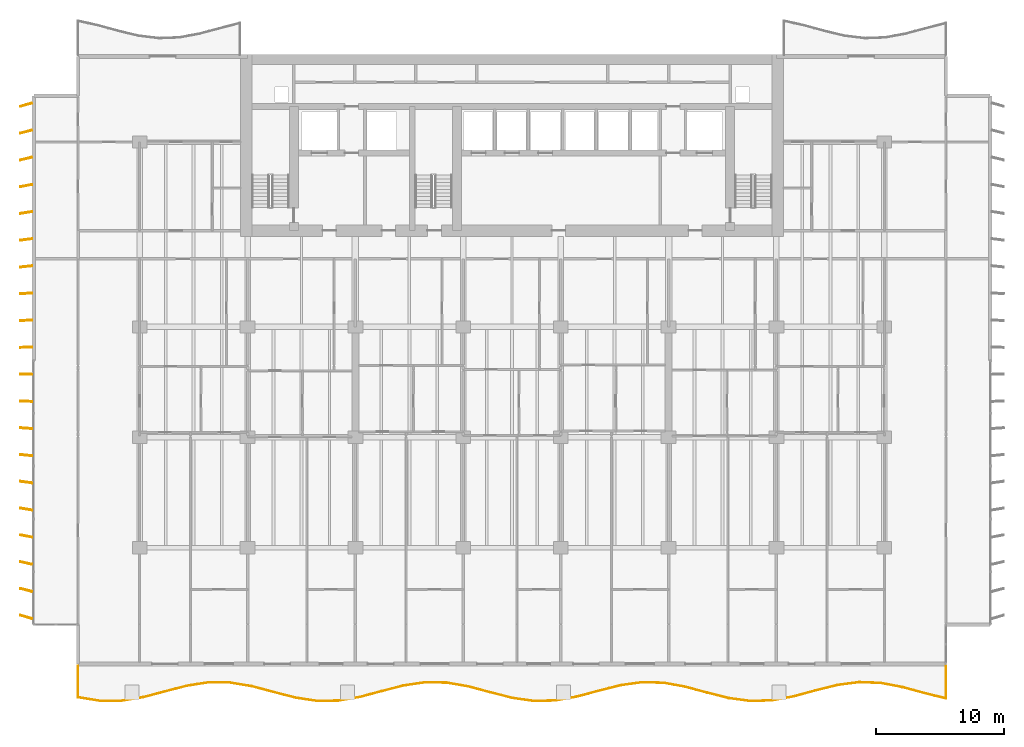
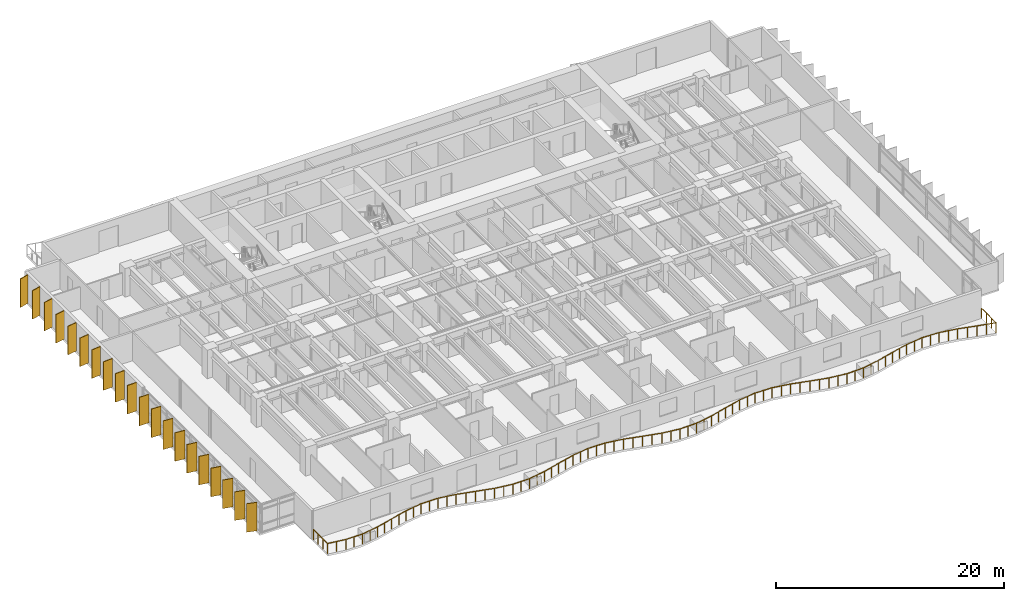
# One storey, part 16 of 19: 20 shading devices, 1 railing.
"""IFC4 building model written with IfcOpenShell, lengths in metres."""

from ifc_helpers import new_model, si_unit, direction, frame, origin, origin_2d, place, context, subcontext, project, spatial, rectangle, circle, extrude, material, material_profile, profile_set, type_object, element, save


model = new_model("IFC4")

# Units and contexts
model_context = context("Model", 3, precision=1e-05, world=origin(), true_north=direction((0.0, 1.0)))
body_context = subcontext(model_context, "Body", "Model", "MODEL_VIEW")
ifc_project = project(units=[si_unit("LENGTHUNIT", "METRE"), si_unit("AREAUNIT", "SQUARE_METRE"), si_unit("VOLUMEUNIT", "CUBIC_METRE"), si_unit("PLANEANGLEUNIT", "RADIAN"), si_unit("MASSUNIT", "GRAM", prefix="KILO")], contexts=[model_context])

# Site, building, storey
site_placement = place(None, origin())
site = spatial("IfcSite", under=ifc_project, at=site_placement, CompositionType="ELEMENT")
building_placement = place(site_placement, origin())
building = spatial("IfcBuilding", under=site, at=building_placement, Name="Caelmar Bay Residences", CompositionType="ELEMENT")
storey_placement = place(building_placement, frame((0.0, 0.0, 66.300048828125)))
storey = spatial("IfcBuildingStorey", under=building, at=storey_placement, Name="L17", CompositionType="ELEMENT", Elevation=66.300048828125)

# Railing
ifc_material_1 = material(Name="Anodised bronze handrail with laminated hurricane glass infill", Category="glass")
railing_type = type_object("IfcRailingType", Name="RL-BAL-1100", PredefinedType="BALUSTRADE", material=ifc_material_1)
railing_placement = place(storey_placement, frame((5.10009765625, 3.0, 0.0)))
element("IfcRailing", 1, at=railing_placement, inside=storey, type_object=railing_type, Name="L17 south Balcony Balustrade", PredefinedType="BALUSTRADE", context=body_context, shape_type="SweptSolid", body=[
    extrude(circle(Radius=0.02392578125, at=origin_2d()), frame((0.0, 0.0, 1.076171875), z_axis=(0.0, -1.0, 0.0), x_axis=(1.0, 0.0, 0.0)), (0.0, 0.0, 1.0), 2.460693359375),
    extrude(circle(Radius=0.02392578125, at=origin_2d()), frame((0.0, -2.460693359375, 1.076171875), z_axis=(0.987161447112, -0.159725631431, 0.0), x_axis=(0.159725631431, 0.987161447112, 0.0)), (0.0, 0.0, 1.0), 1.7119140625),
    extrude(circle(Radius=0.02392578125, at=origin_2d()), frame((1.68994140625, -2.734130859375, 1.076171875), z_axis=(0.999998737326, 0.001589134081, 0.0), x_axis=(-0.001589134081, 0.999998737326, 0.0)), (0.0, 0.0, 1.0), 1.68994140625),
    extrude(circle(Radius=0.02392578125, at=origin_2d()), frame((3.3798828125, -2.7314453125, 1.076171875), z_axis=(0.986799294677, 0.16194799173, 0.0), x_axis=(-0.16194799173, 0.986799294677, 0.0)), (0.0, 0.0, 1.0), 1.712646484375),
    extrude(circle(Radius=0.02392578125, at=origin_2d()), frame((5.06982421875, -2.4541015625, 1.076171875), z_axis=(0.967000314127, 0.254775180264, 0.0), x_axis=(-0.254775180264, 0.967000314127, 0.0)), (0.0, 0.0, 1.0), 1.747802734375),
    extrude(circle(Radius=0.02392578125, at=origin_2d()), frame((6.760009765625, -2.0087890625, 1.076171875), z_axis=(0.967608364987, 0.252456039752, 0.0), x_axis=(-0.252456039752, 0.967608364987, 0.0)), (0.0, 0.0, 1.0), 1.74658203125),
    extrude(circle(Radius=0.02392578125, at=origin_2d()), frame((8.449951171875, -1.56787109375, 1.076171875), z_axis=(0.987827677415, 0.155552176883, 0.0), x_axis=(-0.155552176883, 0.987827677415, 0.0)), (0.0, 0.0, 1.0), 1.710693359375),
    extrude(circle(Radius=0.02392578125, at=origin_2d()), frame((10.139892578125, -1.3017578125, 1.076171875), z_axis=(0.999977919541, -0.00664533145, 0.0), x_axis=(0.00664533145, 0.999977919541, 0.0)), (0.0, 0.0, 1.0), 1.68994140625),
    extrude(circle(Radius=0.02392578125, at=origin_2d()), frame((11.829833984375, -1.31298828125, 1.076171875), z_axis=(0.986134771921, -0.165946411857, 0.0), x_axis=(0.165946411857, 0.986134771921, 0.0)), (0.0, 0.0, 1.0), 1.7138671875),
    extrude(circle(Radius=0.02392578125, at=origin_2d()), frame((13.52001953125, -1.597412109375, 1.076171875), z_axis=(0.96664627218, -0.256115178153, 0.0), x_axis=(0.256115178153, 0.96664627218, 0.0)), (0.0, 0.0, 1.0), 1.748291015625),
    extrude(circle(Radius=0.02392578125, at=origin_2d()), frame((15.2099609375, -2.045166015625, 1.076171875), z_axis=(0.968017027186, -0.250884505457, 0.0), x_axis=(0.250884505457, 0.968017027186, 0.0)), (0.0, 0.0, 1.0), 1.745849609375),
    extrude(circle(Radius=0.02392578125, at=origin_2d()), frame((16.89990234375, -2.483154296875, 1.076171875), z_axis=(0.988455739863, -0.151509901762, 0.0), x_axis=(0.151509901762, 0.988455739863, 0.0)), (0.0, 0.0, 1.0), 1.709716796875),
    extrude(circle(Radius=0.02392578125, at=origin_2d()), frame((18.58984375, -2.7421875, 1.076171875), z_axis=(0.999929840124, 0.011845456066, 0.0), x_axis=(-0.011845456066, 0.999929840124, 0.0)), (0.0, 0.0, 1.0), 1.68994140625),
    extrude(circle(Radius=0.02392578125, at=origin_2d()), frame((20.27978515625, -2.72216796875, 1.076171875), z_axis=(0.985474905677, 0.169821112592, 0.0), x_axis=(-0.169821112592, 0.985474905677, 0.0)), (0.0, 0.0, 1.0), 1.715087890625),
    extrude(circle(Radius=0.02392578125, at=origin_2d()), frame((21.969970703125, -2.430908203125, 1.076171875), z_axis=(0.966299784556, 0.25741935896, 0.0), x_axis=(-0.25741935896, 0.966299784556, 0.0)), (0.0, 0.0, 1.0), 1.748779296875),
    extrude(circle(Radius=0.02392578125, at=origin_2d()), frame((23.659912109375, -1.980712890625, 1.076171875), z_axis=(0.968457248816, 0.249179768873, 0.0), x_axis=(-0.249179768873, 0.968457248816, 0.0)), (0.0, 0.0, 1.0), 1.744873046875),
    extrude(circle(Radius=0.02392578125, at=origin_2d()), frame((25.349853515625, -1.5458984375, 1.076171875), z_axis=(0.989088848921, 0.147320225836, 0.0), x_axis=(-0.147320225836, 0.989088848921, 0.0)), (0.0, 0.0, 1.0), 1.70849609375),
    extrude(circle(Radius=0.02392578125, at=origin_2d()), frame((27.039794921875, -1.294189453125, 1.076171875), z_axis=(0.999854771872, -0.017042158469, 0.0), x_axis=(0.017042158469, 0.999854771872, 0.0)), (0.0, 0.0, 1.0), 1.6904296875),
    extrude(circle(Radius=0.02392578125, at=origin_2d()), frame((28.72998046875, -1.322998046875, 1.076171875), z_axis=(0.98479644639, -0.173712288506, 0.0), x_axis=(0.173712288506, 0.98479644639, 0.0)), (0.0, 0.0, 1.0), 1.716064453125),
    extrude(circle(Radius=0.02392578125, at=origin_2d()), frame((30.419921875, -1.62109375, 1.076171875), z_axis=(0.966021507899, -0.258461692087, 0.0), x_axis=(0.258461692087, 0.966021507899, 0.0)), (0.0, 0.0, 1.0), 1.749267578125),
    extrude(circle(Radius=0.02392578125, at=origin_2d()), frame((32.10986328125, -2.0732421875, 1.076171875), z_axis=(0.96889486343, -0.247472712878, 0.0), x_axis=(0.247472712878, 0.96889486343, 0.0)), (0.0, 0.0, 1.0), 1.744140625),
    extrude(circle(Radius=0.02392578125, at=origin_2d()), frame((33.7998046875, -2.5048828125, 1.076171875), z_axis=(0.989707894307, -0.143102354789, 0.0), x_axis=(0.143102354789, 0.989707894307, 0.0)), (0.0, 0.0, 1.0), 1.707763671875),
    extrude(circle(Radius=0.02392578125, at=origin_2d()), frame((35.489990234375, -2.749267578125, 1.076171875), z_axis=(0.999755808481, 0.02209804084, 0.0), x_axis=(-0.02209804084, 0.999755808481, 0.0)), (0.0, 0.0, 1.0), 1.6904296875),
    extrude(circle(Radius=0.02392578125, at=origin_2d()), frame((37.179931640625, -2.7119140625, 1.076171875), z_axis=(0.984107880435, 0.177571618414, 0.0), x_axis=(-0.177571618414, 0.984107880435, 0.0)), (0.0, 0.0, 1.0), 1.71728515625),
    extrude(circle(Radius=0.02392578125, at=origin_2d()), frame((38.869873046875, -2.406982421875, 1.076171875), z_axis=(0.965742268421, 0.259503123268, 0.0), x_axis=(-0.259503123268, 0.965742268421, 0.0)), (0.0, 0.0, 1.0), 1.75),
    extrude(circle(Radius=0.02392578125, at=origin_2d()), frame((40.559814453125, -1.952880859375, 1.076171875), z_axis=(0.969338315738, 0.245729993373, 0.0), x_axis=(-0.245729993373, 0.969338315738, 0.0)), (0.0, 0.0, 1.0), 1.74365234375),
    extrude(circle(Radius=0.02392578125, at=origin_2d()), frame((42.25, -1.5244140625, 1.076171875), z_axis=(0.990323665204, 0.138776936615, 0.0), x_axis=(-0.138776936615, 0.990323665204, 0.0)), (0.0, 0.0, 1.0), 1.70654296875),
    extrude(circle(Radius=0.02392578125, at=origin_2d()), frame((43.93994140625, -1.28759765625, 1.076171875), z_axis=(0.999627447336, -0.027294075057, 0.0), x_axis=(0.027294075057, 0.999627447336, 0.0)), (0.0, 0.0, 1.0), 1.690673828125),
    extrude(circle(Radius=0.02392578125, at=origin_2d()), frame((45.6298828125, -1.333740234375, 1.076171875), z_axis=(0.983455853018, -0.181147964836, 0.0), x_axis=(0.181147964836, 0.983455853018, 0.0)), (0.0, 0.0, 1.0), 1.71826171875),
    extrude(circle(Radius=0.02392578125, at=origin_2d()), frame((47.31982421875, -1.64501953125, 1.076171875), z_axis=(0.96543645193, -0.26063855679, 0.0), x_axis=(0.26063855679, 0.96543645193, 0.0)), (0.0, 0.0, 1.0), 1.750732421875),
    extrude(circle(Radius=0.02392578125, at=origin_2d()), frame((49.010009765625, -2.101318359375, 1.076171875), z_axis=(0.96986162676, -0.243656366503, 0.0), x_axis=(0.243656366503, 0.96986162676, 0.0)), (0.0, 0.0, 1.0), 1.742431640625),
    extrude(circle(Radius=0.02392578125, at=origin_2d()), frame((50.699951171875, -2.52587890625, 1.076171875), z_axis=(0.990904931496, -0.134563801734, 0.0), x_axis=(0.134563801734, 0.990904931496, 0.0)), (0.0, 0.0, 1.0), 1.70556640625),
    extrude(circle(Radius=0.02392578125, at=origin_2d()), frame((52.389892578125, -2.75537109375, 1.076171875), z_axis=(0.999472128922, 0.032487897863, 0.0), x_axis=(-0.032487897863, 0.999472128922, 0.0)), (0.0, 0.0, 1.0), 1.69091796875),
    extrude(circle(Radius=0.02392578125, at=origin_2d()), frame((54.079833984375, -2.700439453125, 1.076171875), z_axis=(0.982796570367, 0.184691367622, 0.0), x_axis=(-0.184691367622, 0.982796570367, 0.0)), (0.0, 0.0, 1.0), 1.7197265625),
    extrude(circle(Radius=0.02392578125, at=origin_2d()), frame((55.77001953125, -2.3828125, 1.076171875), z_axis=(0.965180912131, 0.261583269454, 0.0), x_axis=(-0.261583269454, 0.965180912131, 0.0)), (0.0, 0.0, 1.0), 1.7509765625),
    extrude(circle(Radius=0.02392578125, at=origin_2d()), frame((57.4599609375, -1.9248046875, 1.076171875), z_axis=(0.970323637747, 0.241809921282, 0.0), x_axis=(-0.241809921282, 0.970323637747, 0.0)), (0.0, 0.0, 1.0), 1.74169921875),
    extrude(circle(Radius=0.02392578125, at=origin_2d()), frame((59.14990234375, -1.503662109375, 1.076171875), z_axis=(0.991505897184, 0.130061738608, 0.0), x_axis=(-0.130061738608, 0.991505897184, 0.0)), (0.0, 0.0, 1.0), 1.704345703125),
    extrude(circle(Radius=0.02392578125, at=origin_2d()), frame((60.83984375, -1.281982421875, 1.076171875), z_axis=(0.999295316243, -0.037534929532, 0.0), x_axis=(0.037534929532, 0.999295316243, 0.0)), (0.0, 0.0, 1.0), 1.691162109375),
    extrude(circle(Radius=0.02392578125, at=origin_2d()), frame((62.52978515625, -1.345458984375, 1.076171875), z_axis=(0.982120607704, -0.188252787292, 0.0), x_axis=(0.188252787292, 0.982120607704, 0.0)), (0.0, 0.0, 1.0), 1.720947265625),
    extrude(circle(Radius=0.02392578125, at=origin_2d()), frame((64.219970703125, -1.66943359375, 1.076171875), z_axis=(0.964969418034, -0.262362387278, 0.0), x_axis=(0.262362387278, 0.964969418034, 0.0)), (0.0, 0.0, 1.0), 1.751220703125),
    extrude(circle(Radius=0.02392578125, at=origin_2d()), frame((65.909912109375, -2.12890625, 1.076171875), z_axis=(0.9708152295, -0.239828668368, 0.0), x_axis=(0.239828668368, 0.9708152295, 0.0)), (0.0, 0.0, 1.0), 1.74072265625),
    extrude(circle(Radius=0.02392578125, at=origin_2d()), frame((67.599853515625, -2.54638671875, 1.076171875), z_axis=(0.0, 1.0, 0.0), x_axis=(-1.0, 0.0, 0.0)), (0.0, 0.0, 1.0), 2.54638671875),
    extrude(circle(Radius=0.02099609375, at=origin_2d()), origin(), (0.0, 0.0, 1.0), 1.052001953125),
    extrude(circle(Radius=0.02099609375, at=origin_2d()), frame((0.0, -0.8203125, 0.0)), (0.0, 0.0, 1.0), 1.052001953125),
    extrude(circle(Radius=0.02099609375, at=origin_2d()), frame((0.0, -1.640380859375, 0.0)), (0.0, 0.0, 1.0), 1.052001953125),
    extrude(circle(Radius=0.02099609375, at=origin_2d()), frame((0.0, -2.460693359375, 0.0)), (0.0, 0.0, 1.0), 1.052001953125),
    extrude(circle(Radius=0.02099609375, at=origin_2d()), frame((0.844970703125, -2.597412109375, 0.0)), (0.0, 0.0, 1.0), 1.052001953125),
    extrude(circle(Radius=0.02099609375, at=origin_2d()), frame((1.68994140625, -2.734130859375, 0.0)), (0.0, 0.0, 1.0), 1.052001953125),
    extrude(circle(Radius=0.02099609375, at=origin_2d()), frame((2.534912109375, -2.73291015625, 0.0)), (0.0, 0.0, 1.0), 1.052001953125),
    extrude(circle(Radius=0.02099609375, at=origin_2d()), frame((3.3798828125, -2.7314453125, 0.0)), (0.0, 0.0, 1.0), 1.052001953125),
    extrude(circle(Radius=0.02099609375, at=origin_2d()), frame((4.224853515625, -2.5927734375, 0.0)), (0.0, 0.0, 1.0), 1.052001953125),
    extrude(circle(Radius=0.02099609375, at=origin_2d()), frame((5.06982421875, -2.4541015625, 0.0)), (0.0, 0.0, 1.0), 1.052001953125),
    extrude(circle(Radius=0.02099609375, at=origin_2d()), frame((5.9150390625, -2.2314453125, 0.0)), (0.0, 0.0, 1.0), 1.052001953125),
    extrude(circle(Radius=0.02099609375, at=origin_2d()), frame((6.760009765625, -2.0087890625, 0.0)), (0.0, 0.0, 1.0), 1.052001953125),
    extrude(circle(Radius=0.02099609375, at=origin_2d()), frame((7.60498046875, -1.788330078125, 0.0)), (0.0, 0.0, 1.0), 1.052001953125),
    extrude(circle(Radius=0.02099609375, at=origin_2d()), frame((8.449951171875, -1.56787109375, 0.0)), (0.0, 0.0, 1.0), 1.052001953125),
    extrude(circle(Radius=0.02099609375, at=origin_2d()), frame((9.294921875, -1.434814453125, 0.0)), (0.0, 0.0, 1.0), 1.052001953125),
    extrude(circle(Radius=0.02099609375, at=origin_2d()), frame((10.139892578125, -1.3017578125, 0.0)), (0.0, 0.0, 1.0), 1.052001953125),
    extrude(circle(Radius=0.02099609375, at=origin_2d()), frame((10.98486328125, -1.307373046875, 0.0)), (0.0, 0.0, 1.0), 1.052001953125),
    extrude(circle(Radius=0.02099609375, at=origin_2d()), frame((11.829833984375, -1.31298828125, 0.0)), (0.0, 0.0, 1.0), 1.052001953125),
    extrude(circle(Radius=0.02099609375, at=origin_2d()), frame((12.6748046875, -1.455078125, 0.0)), (0.0, 0.0, 1.0), 1.052001953125),
    extrude(circle(Radius=0.02099609375, at=origin_2d()), frame((13.52001953125, -1.597412109375, 0.0)), (0.0, 0.0, 1.0), 1.052001953125),
    extrude(circle(Radius=0.02099609375, at=origin_2d()), frame((14.364990234375, -1.8212890625, 0.0)), (0.0, 0.0, 1.0), 1.052001953125),
    extrude(circle(Radius=0.02099609375, at=origin_2d()), frame((15.2099609375, -2.045166015625, 0.0)), (0.0, 0.0, 1.0), 1.052001953125),
    extrude(circle(Radius=0.02099609375, at=origin_2d()), frame((16.054931640625, -2.26416015625, 0.0)), (0.0, 0.0, 1.0), 1.052001953125),
    extrude(circle(Radius=0.02099609375, at=origin_2d()), frame((16.89990234375, -2.483154296875, 0.0)), (0.0, 0.0, 1.0), 1.052001953125),
    extrude(circle(Radius=0.02099609375, at=origin_2d()), frame((17.744873046875, -2.61279296875, 0.0)), (0.0, 0.0, 1.0), 1.052001953125),
    extrude(circle(Radius=0.02099609375, at=origin_2d()), frame((18.58984375, -2.7421875, 0.0)), (0.0, 0.0, 1.0), 1.052001953125),
    extrude(circle(Radius=0.02099609375, at=origin_2d()), frame((19.434814453125, -2.732177734375, 0.0)), (0.0, 0.0, 1.0), 1.052001953125),
    extrude(circle(Radius=0.02099609375, at=origin_2d()), frame((20.27978515625, -2.72216796875, 0.0)), (0.0, 0.0, 1.0), 1.052001953125),
    extrude(circle(Radius=0.02099609375, at=origin_2d()), frame((21.125, -2.57666015625, 0.0)), (0.0, 0.0, 1.0), 1.052001953125),
    extrude(circle(Radius=0.02099609375, at=origin_2d()), frame((21.969970703125, -2.430908203125, 0.0)), (0.0, 0.0, 1.0), 1.052001953125),
    extrude(circle(Radius=0.02099609375, at=origin_2d()), frame((22.81494140625, -2.205810546875, 0.0)), (0.0, 0.0, 1.0), 1.052001953125),
    extrude(circle(Radius=0.02099609375, at=origin_2d()), frame((23.659912109375, -1.980712890625, 0.0)), (0.0, 0.0, 1.0), 1.052001953125),
    extrude(circle(Radius=0.02099609375, at=origin_2d()), frame((24.5048828125, -1.76318359375, 0.0)), (0.0, 0.0, 1.0), 1.052001953125),
    extrude(circle(Radius=0.02099609375, at=origin_2d()), frame((25.349853515625, -1.5458984375, 0.0)), (0.0, 0.0, 1.0), 1.052001953125),
    extrude(circle(Radius=0.02099609375, at=origin_2d()), frame((26.19482421875, -1.419921875, 0.0)), (0.0, 0.0, 1.0), 1.052001953125),
    extrude(circle(Radius=0.02099609375, at=origin_2d()), frame((27.039794921875, -1.294189453125, 0.0)), (0.0, 0.0, 1.0), 1.052001953125),
    extrude(circle(Radius=0.02099609375, at=origin_2d()), frame((27.884765625, -1.30859375, 0.0)), (0.0, 0.0, 1.0), 1.052001953125),
    extrude(circle(Radius=0.02099609375, at=origin_2d()), frame((28.72998046875, -1.322998046875, 0.0)), (0.0, 0.0, 1.0), 1.052001953125),
    extrude(circle(Radius=0.02099609375, at=origin_2d()), frame((29.574951171875, -1.47216796875, 0.0)), (0.0, 0.0, 1.0), 1.052001953125),
    extrude(circle(Radius=0.02099609375, at=origin_2d()), frame((30.419921875, -1.62109375, 0.0)), (0.0, 0.0, 1.0), 1.052001953125),
    extrude(circle(Radius=0.02099609375, at=origin_2d()), frame((31.264892578125, -1.84716796875, 0.0)), (0.0, 0.0, 1.0), 1.052001953125),
    extrude(circle(Radius=0.02099609375, at=origin_2d()), frame((32.10986328125, -2.0732421875, 0.0)), (0.0, 0.0, 1.0), 1.052001953125),
    extrude(circle(Radius=0.02099609375, at=origin_2d()), frame((32.954833984375, -2.2890625, 0.0)), (0.0, 0.0, 1.0), 1.052001953125),
    extrude(circle(Radius=0.02099609375, at=origin_2d()), frame((33.7998046875, -2.5048828125, 0.0)), (0.0, 0.0, 1.0), 1.052001953125),
    extrude(circle(Radius=0.02099609375, at=origin_2d()), frame((34.64501953125, -2.626953125, 0.0)), (0.0, 0.0, 1.0), 1.052001953125),
    extrude(circle(Radius=0.02099609375, at=origin_2d()), frame((35.489990234375, -2.749267578125, 0.0)), (0.0, 0.0, 1.0), 1.052001953125),
    extrude(circle(Radius=0.02099609375, at=origin_2d()), frame((36.3349609375, -2.73046875, 0.0)), (0.0, 0.0, 1.0), 1.052001953125),
    extrude(circle(Radius=0.02099609375, at=origin_2d()), frame((37.179931640625, -2.7119140625, 0.0)), (0.0, 0.0, 1.0), 1.052001953125),
    extrude(circle(Radius=0.02099609375, at=origin_2d()), frame((38.02490234375, -2.5595703125, 0.0)), (0.0, 0.0, 1.0), 1.052001953125),
    extrude(circle(Radius=0.02099609375, at=origin_2d()), frame((38.869873046875, -2.406982421875, 0.0)), (0.0, 0.0, 1.0), 1.052001953125),
    extrude(circle(Radius=0.02099609375, at=origin_2d()), frame((39.71484375, -2.179931640625, 0.0)), (0.0, 0.0, 1.0), 1.052001953125),
    extrude(circle(Radius=0.02099609375, at=origin_2d()), frame((40.559814453125, -1.952880859375, 0.0)), (0.0, 0.0, 1.0), 1.052001953125),
    extrude(circle(Radius=0.02099609375, at=origin_2d()), frame((41.40478515625, -1.73876953125, 0.0)), (0.0, 0.0, 1.0), 1.052001953125),
    extrude(circle(Radius=0.02099609375, at=origin_2d()), frame((42.25, -1.5244140625, 0.0)), (0.0, 0.0, 1.0), 1.052001953125),
    extrude(circle(Radius=0.02099609375, at=origin_2d()), frame((43.094970703125, -1.406005859375, 0.0)), (0.0, 0.0, 1.0), 1.052001953125),
    extrude(circle(Radius=0.02099609375, at=origin_2d()), frame((43.93994140625, -1.28759765625, 0.0)), (0.0, 0.0, 1.0), 1.052001953125),
    extrude(circle(Radius=0.02099609375, at=origin_2d()), frame((44.784912109375, -1.310546875, 0.0)), (0.0, 0.0, 1.0), 1.052001953125),
    extrude(circle(Radius=0.02099609375, at=origin_2d()), frame((45.6298828125, -1.333740234375, 0.0)), (0.0, 0.0, 1.0), 1.052001953125),
    extrude(circle(Radius=0.02099609375, at=origin_2d()), frame((46.474853515625, -1.4892578125, 0.0)), (0.0, 0.0, 1.0), 1.052001953125),
    extrude(circle(Radius=0.02099609375, at=origin_2d()), frame((47.31982421875, -1.64501953125, 0.0)), (0.0, 0.0, 1.0), 1.052001953125),
    extrude(circle(Radius=0.02099609375, at=origin_2d()), frame((48.1650390625, -1.873046875, 0.0)), (0.0, 0.0, 1.0), 1.052001953125),
    extrude(circle(Radius=0.02099609375, at=origin_2d()), frame((49.010009765625, -2.101318359375, 0.0)), (0.0, 0.0, 1.0), 1.052001953125),
    extrude(circle(Radius=0.02099609375, at=origin_2d()), frame((49.85498046875, -2.3134765625, 0.0)), (0.0, 0.0, 1.0), 1.052001953125),
    extrude(circle(Radius=0.02099609375, at=origin_2d()), frame((50.699951171875, -2.52587890625, 0.0)), (0.0, 0.0, 1.0), 1.052001953125),
    extrude(circle(Radius=0.02099609375, at=origin_2d()), frame((51.544921875, -2.640625, 0.0)), (0.0, 0.0, 1.0), 1.052001953125),
    extrude(circle(Radius=0.02099609375, at=origin_2d()), frame((52.389892578125, -2.75537109375, 0.0)), (0.0, 0.0, 1.0), 1.052001953125),
    extrude(circle(Radius=0.02099609375, at=origin_2d()), frame((53.23486328125, -2.72802734375, 0.0)), (0.0, 0.0, 1.0), 1.052001953125),
    extrude(circle(Radius=0.02099609375, at=origin_2d()), frame((54.079833984375, -2.700439453125, 0.0)), (0.0, 0.0, 1.0), 1.052001953125),
    extrude(circle(Radius=0.02099609375, at=origin_2d()), frame((54.9248046875, -2.54150390625, 0.0)), (0.0, 0.0, 1.0), 1.052001953125),
    extrude(circle(Radius=0.02099609375, at=origin_2d()), frame((55.77001953125, -2.3828125, 0.0)), (0.0, 0.0, 1.0), 1.052001953125),
    extrude(circle(Radius=0.02099609375, at=origin_2d()), frame((56.614990234375, -2.15380859375, 0.0)), (0.0, 0.0, 1.0), 1.052001953125),
    extrude(circle(Radius=0.02099609375, at=origin_2d()), frame((57.4599609375, -1.9248046875, 0.0)), (0.0, 0.0, 1.0), 1.052001953125),
    extrude(circle(Radius=0.02099609375, at=origin_2d()), frame((58.304931640625, -1.71435546875, 0.0)), (0.0, 0.0, 1.0), 1.052001953125),
    extrude(circle(Radius=0.02099609375, at=origin_2d()), frame((59.14990234375, -1.503662109375, 0.0)), (0.0, 0.0, 1.0), 1.052001953125),
    extrude(circle(Radius=0.02099609375, at=origin_2d()), frame((59.994873046875, -1.392822265625, 0.0)), (0.0, 0.0, 1.0), 1.052001953125),
    extrude(circle(Radius=0.02099609375, at=origin_2d()), frame((60.83984375, -1.281982421875, 0.0)), (0.0, 0.0, 1.0), 1.052001953125),
    extrude(circle(Radius=0.02099609375, at=origin_2d()), frame((61.684814453125, -1.313720703125, 0.0)), (0.0, 0.0, 1.0), 1.052001953125),
    extrude(circle(Radius=0.02099609375, at=origin_2d()), frame((62.52978515625, -1.345458984375, 0.0)), (0.0, 0.0, 1.0), 1.052001953125),
    extrude(circle(Radius=0.02099609375, at=origin_2d()), frame((63.375, -1.50732421875, 0.0)), (0.0, 0.0, 1.0), 1.052001953125),
    extrude(circle(Radius=0.02099609375, at=origin_2d()), frame((64.219970703125, -1.66943359375, 0.0)), (0.0, 0.0, 1.0), 1.052001953125),
    extrude(circle(Radius=0.02099609375, at=origin_2d()), frame((65.06494140625, -1.899169921875, 0.0)), (0.0, 0.0, 1.0), 1.052001953125),
    extrude(circle(Radius=0.02099609375, at=origin_2d()), frame((65.909912109375, -2.12890625, 0.0)), (0.0, 0.0, 1.0), 1.052001953125),
    extrude(circle(Radius=0.02099609375, at=origin_2d()), frame((66.7548828125, -2.337646484375, 0.0)), (0.0, 0.0, 1.0), 1.052001953125),
    extrude(circle(Radius=0.02099609375, at=origin_2d()), frame((67.599853515625, -2.54638671875, 0.0)), (0.0, 0.0, 1.0), 1.052001953125),
    extrude(circle(Radius=0.02099609375, at=origin_2d()), frame((67.599853515625, -1.697509765625, 0.0)), (0.0, 0.0, 1.0), 1.052001953125),
    extrude(circle(Radius=0.02099609375, at=origin_2d()), frame((67.599853515625, -0.848876953125, 0.0)), (0.0, 0.0, 1.0), 1.052001953125),
    extrude(circle(Radius=0.02099609375, at=origin_2d()), frame((67.599853515625, 0.0, 0.0)), (0.0, 0.0, 1.0), 1.052001953125),
])

# Shading devices
ifc_material_2 = material(Name="Anodised architectural bronze aluminium 6063-T6", Category="aluminium")
ifc_material_profile = material_profile(ifc_material_2, rectangle(XDim=0.074951171875, YDim=0.949951171875, at=origin_2d()), Name="BRONZE-FIN-75X950")
ifc_profile_set = profile_set([ifc_material_profile], Name="Anodised architectural bronze aluminium 6063-T6")
shading_device_type = type_object("IfcShadingDeviceType", Name="SHD-FIN-950", PredefinedType="USERDEFINED", material=ifc_profile_set)
for number, where, z_axis, x_axis, name in (
    (2, (1.050048828125, 6.800048828125, 0.0), (0.0, 0.0, 1.0), (0.275637355817, 0.961261695938, 0.0), "L17 West Bronze Solar Fin 1"),
    (3, (1.050048828125, 8.89990234375, 0.0), (0.0, 0.0, 1.0), (0.247337247968, 0.968929453452, 0.0), "L17 West Bronze Solar Fin 2"),
    (4, (1.050048828125, 11.0, 0.0), (0.0, 0.0, 1.0), (0.218654200292, 0.975802408633, 0.0), "L17 West Bronze Solar Fin 3"),
    (5, (1.050048828125, 13.10009765625, 0.0), (0.0, 0.0, 1.0), (0.189952291512, 0.981793321911, 0.0), "L17 West Bronze Solar Fin 4"),
    (6, (1.050048828125, 15.199951171875, 0.0), (0.0, 0.0, 1.0), (0.160914826518, 0.986968296657, 0.0), "L17 West Bronze Solar Fin 5"),
    (7, (1.050048828125, 17.300048828125, 0.0), (0.0, 0.0, 1.0), (0.131910382711, 0.991261646052, 0.0), "L17 West Bronze Solar Fin 6"),
    (8, (1.050048828125, 19.39990234375, 0.0), (0.0, 0.0, 1.0), (0.10261892683, 0.994720742649, 0.0), "L17 West Bronze Solar Fin 7"),
    (9, (1.050048828125, 21.5, 0.0), (0.0, 0.0, 1.0), (0.073412260224, 0.997301679558, 0.0), "L17 West Bronze Solar Fin 8"),
    (10, (1.050048828125, 23.60009765625, 0.0), (0.0, 0.0, 1.0), (0.044142481788, 0.999025245578, 0.0), "L17 West Bronze Solar Fin 9"),
    (11, (1.050048828125, 25.699951171875, 0.0), (0.0, 0.0, 1.0), (0.01466024053, 0.999892532899, 0.0), "L17 West Bronze Solar Fin 10"),
    (12, (1.050048828125, 27.800048828125, 0.0), (0.0, 0.0, 1.0), (-0.01466024053, 0.999892532899, 0.0), "L17 West Bronze Solar Fin 11"),
    (13, (1.050048828125, 29.89990234375, 0.0), (0.0, 0.0, 1.0), (-0.044142481788, 0.999025245578, 0.0), "L17 West Bronze Solar Fin 12"),
    (14, (1.050048828125, 32.0, 0.0), (0.0, 0.0, 1.0), (-0.073412260224, 0.997301679558, 0.0), "L17 West Bronze Solar Fin 13"),
    (15, (1.050048828125, 34.10009765625, 0.0), (0.0, 0.0, 1.0), (-0.10261892683, 0.994720742649, 0.0), "L17 West Bronze Solar Fin 14"),
    (16, (1.050048828125, 36.199951171875, 0.0), (0.0, 0.0, 1.0), (-0.131910382711, 0.991261646052, 0.0), "L17 West Bronze Solar Fin 15"),
    (17, (1.050048828125, 38.300048828125, 0.0), (0.0, 0.0, 1.0), (-0.160914826518, 0.986968296657, 0.0), "L17 West Bronze Solar Fin 16"),
    (18, (1.050048828125, 40.39990234375, 0.0), (0.0, 0.0, 1.0), (-0.189952291512, 0.981793321911, 0.0), "L17 West Bronze Solar Fin 17"),
    (19, (1.050048828125, 42.5, 0.0), (0.0, 0.0, 1.0), (-0.218654200292, 0.975802408633, 0.0), "L17 West Bronze Solar Fin 18"),
    (20, (1.050048828125, 44.60009765625, 0.0), (0.0, 0.0, 1.0), (-0.247337247968, 0.968929453452, 0.0), "L17 West Bronze Solar Fin 19"),
    (21, (1.050048828125, 46.699951171875, 0.0), (0.0, 0.0, 1.0), (-0.275637355817, 0.961261695938, 0.0), "L17 West Bronze Solar Fin 20"),
):
    element("IfcShadingDevice", number, at=place(storey_placement, frame(where, z_axis=z_axis, x_axis=x_axis)), inside=storey, type_object=shading_device_type, Name=name, ObjectType="FIN", PredefinedType="USERDEFINED", context=body_context, shape_type="SweptSolid", body=[
        extrude(rectangle(XDim=0.074951171875, YDim=0.949951171875, at=origin_2d()), origin(), (0.0, 0.0, 1.0), 3.050048828125),
    ])

save(model, "model.ifc")
